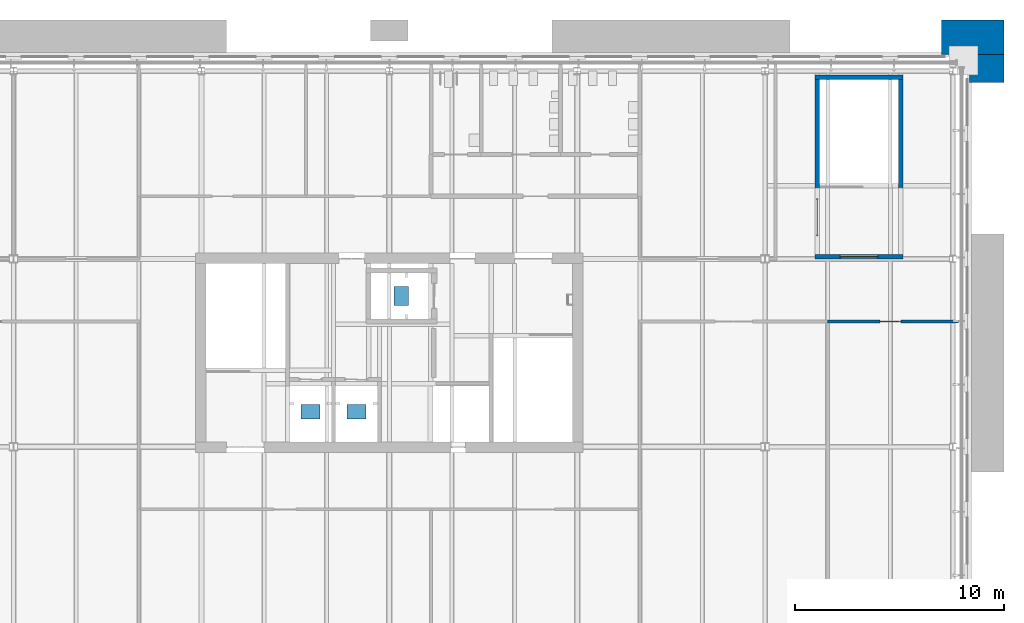
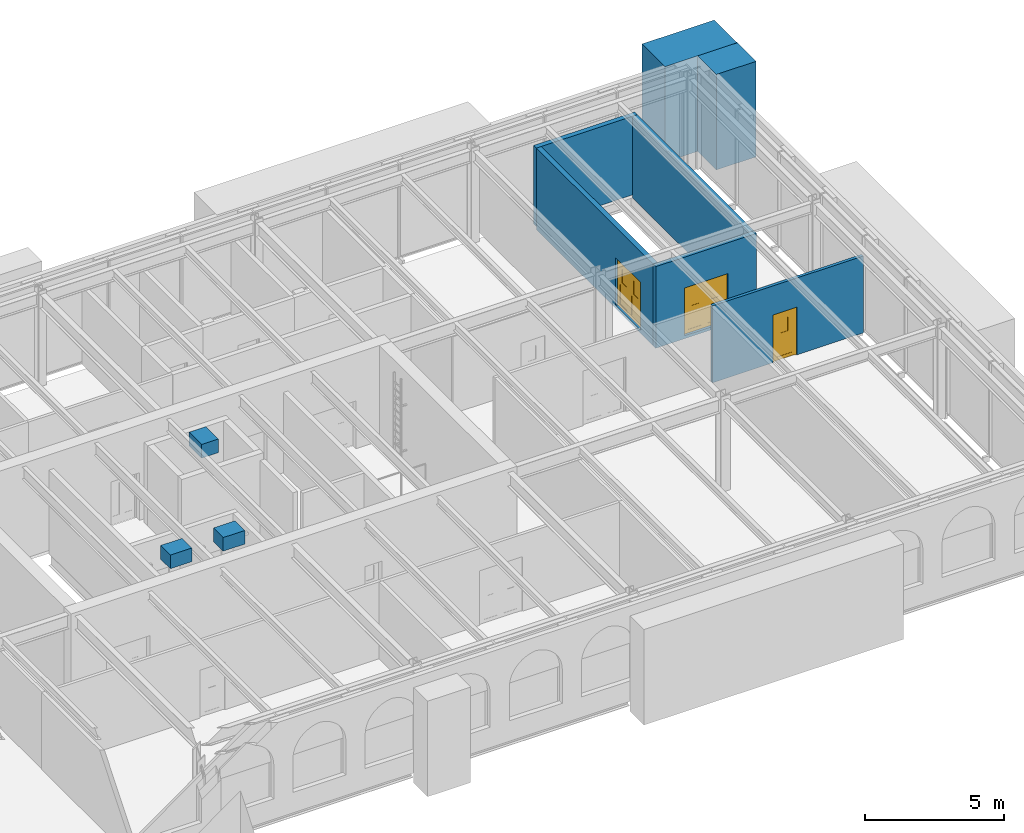
# One storey, part 15 of 24: 7 walls, 3 discrete accessories, 3 doors, 3 openings.
"""IFC4 building model written with IfcOpenShell, lengths in metres."""

from ifc_helpers import new_model, si_unit, direction, frame, frame_2d, origin, origin_2d, place, context, subcontext, project, spatial, polyline, rectangle, outline, extrude, material, layer, layer_set, type_object, element, fill, save


model = new_model("IFC4")

# Units and contexts
model_context = context("Model", 3, precision=1e-05, world=origin(), true_north=direction((0.0, 1.0)))
body_context = subcontext(model_context, "Body", "Model", "MODEL_VIEW")
ifc_project = project(units=[si_unit("LENGTHUNIT", "METRE"), si_unit("AREAUNIT", "SQUARE_METRE"), si_unit("VOLUMEUNIT", "CUBIC_METRE"), si_unit("PLANEANGLEUNIT", "RADIAN"), si_unit("MASSUNIT", "GRAM", prefix="KILO")], contexts=[model_context])

# Site, building, storey
site_placement = place(None, origin())
site = spatial("IfcSite", under=ifc_project, at=site_placement, CompositionType="ELEMENT")
building_placement = place(site_placement, origin())
building = spatial("IfcBuilding", under=site, at=building_placement, Name="Baradari Gate Terminus", CompositionType="ELEMENT")
storey_placement = place(building_placement, frame((0.0, 0.0, 32.699951171875)))
storey = spatial("IfcBuildingStorey", under=building, at=storey_placement, Name="L07", CompositionType="ELEMENT", Elevation=32.699951171875)

# Wall, opening, door
ifc_material_1 = material(Name="Gypsum board")
ifc_layer_1 = layer(ifc_material_1, 0.125)
ifc_layer_set_1 = layer_set([ifc_layer_1], Name="Gypsum board")
wall_type_1 = type_object("IfcWallType", Name="Corridor partition PT-5 125 EI 30", PredefinedType="PARTITIONING", material=ifc_layer_set_1)
wall_1_placement = place(storey_placement, frame((63.27001953125, 132.0, 0.0), z_axis=(0.0, 0.0, 1.0), x_axis=(-1.0, 0.0, 0.0)))
wall_1 = element("IfcWall", 1, at=wall_1_placement, inside=storey, type_object=wall_type_1, Name="PT-5 partition Corridor / Canteen Kitchen", PredefinedType="PARTITIONING", context=body_context, shape_type="SweptSolid", body=[
    extrude(rectangle(XDim=6.27001953125, YDim=0.125, at=frame_2d((3.135009765625, 0.0))), origin(), (0.0, 0.0, 1.0), 3.382080078125),
])
opening_1_placement = place(wall_1_placement, frame((2.77001953125, 0.0, 0.0)))
opening_1 = element("IfcOpeningElement", 2, at=opening_1_placement, cuts=wall_1, Name="Opening D07-019", PredefinedType="OPENING", context=body_context, shape_type="SweptSolid", body=[
    extrude(rectangle(XDim=1.0, YDim=2.10009765625, at=frame_2d((0.5, 1.050048828125))), frame((0.0, 0.072509765625, 0.0), z_axis=(0.0, -1.0, 0.0), x_axis=(1.0, 0.0, 0.0)), (0.0, 0.0, 1.0), 0.14501953125),
])
ifc_material_2 = material(Name="Steel S275", Category="steel")
door_type_1 = type_object("IfcDoorType", Name="Fire door FI-1000-FD30S 1000x2100 FD30S", OperationType="SINGLE_SWING_LEFT", PredefinedType="DOOR", material=ifc_material_2)
door_1_placement = place(opening_1_placement, origin())
door_1 = element("IfcDoor", 3, at=door_1_placement, inside=storey, type_object=door_type_1, Name="Door Canteen Kitchen", OperationType="SINGLE_SWING_RIGHT", OverallHeight=2.1, OverallWidth=1.0, PredefinedType="DOOR", context=body_context, shape_type="SweptSolid", body=[
    extrude(outline(polyline([(0.0, 0.0), (0.070068359375, 0.0), (0.070068359375, 2.030029296875), (0.929931640625, 2.030029296875), (0.929931640625, 0.0), (1.0, 0.0), (1.0, 2.10009765625), (0.0, 2.10009765625), (0.0, 0.0)])), frame((0.0, 0.02490234375, 0.0), z_axis=(0.0, -1.0, 0.0), x_axis=(1.0, 0.0, 0.0)), (0.0, 0.0, 1.0), 0.050048828125),
    extrude(outline(polyline([(0.073974609375, 0.010009765625), (0.926025390625, 0.010009765625), (0.926025390625, 2.026123046875), (0.073974609375, 2.026123046875), (0.073974609375, 0.010009765625)]), holes=[polyline([(0.194091796875, 0.159912109375), (0.805908203125, 0.159912109375), (0.805908203125, 1.010009765625), (0.194091796875, 1.010009765625), (0.194091796875, 0.159912109375)]), polyline([(0.35009765625, 1.159912109375), (0.64990234375, 1.159912109375), (0.64990234375, 1.760009765625), (0.35009765625, 1.760009765625), (0.35009765625, 1.159912109375)])]), frame((0.0, 0.017333984375, 0.0), z_axis=(0.0, -1.0, 0.0), x_axis=(1.0, 0.0, 0.0)), (0.0, 0.0, 1.0), 0.034912109375),
    extrude(rectangle(XDim=0.61181640625, YDim=0.85009765625, at=frame_2d((0.5, 0.5849609375))), frame((0.0, 0.008544921875, 0.0), z_axis=(0.0, -1.0, 0.0), x_axis=(1.0, 0.0, 0.0)), (0.0, 0.0, 1.0), 0.017333984375),
    extrude(rectangle(XDim=0.2998046875, YDim=0.60009765625, at=frame_2d((0.5, 1.4599609375))), frame((0.0, 0.005859375, 0.0), z_axis=(0.0, -1.0, 0.0), x_axis=(1.0, 0.0, 0.0)), (0.0, 0.0, 1.0), 0.011962890625),
])
fill(opening_1, door_1)

# Walls
ifc_material_3 = material(Name="Concrete C40/50 precast", Category="concrete")
ifc_layer_2 = layer(ifc_material_3, 1.55)
ifc_material_4 = material(Name="Sandstone cladding", Category="masonry")
ifc_layer_3 = layer(ifc_material_4, 0.1)
ifc_layer_set_2 = layer_set([ifc_layer_2, ifc_layer_3], Name="Concrete C40/50 precast")
wall_type_2 = type_object("IfcWallType", Name="Sandstone-faced precast frame pier WQ-4 1650", PredefinedType="SOLIDWALL", material=ifc_layer_set_2)
wall_2_placement = place(storey_placement, frame((62.445068359375, 145.6201171875, 0.0), z_axis=(0.0, 0.0, 1.0), x_axis=(1.0, 0.0, 0.0)))
element("IfcWall", 4, at=wall_2_placement, inside=storey, type_object=wall_type_2, Name="Corner pilaster NE leg A L07", PredefinedType="SOLIDWALL", context=body_context, shape_type="SweptSolid", body=[
    extrude(rectangle(XDim=3.0, YDim=1.64990234375, at=frame_2d((1.5, 0.0))), origin(), (0.0, 0.0, 1.0), 4.199951171875),
])
wall_3_placement = place(storey_placement, frame((64.6201171875, 143.445068359375, 0.0), z_axis=(0.0, 0.0, 1.0), x_axis=(0.0, 1.0, 0.0)))
element("IfcWall", 5, at=wall_3_placement, inside=storey, type_object=wall_type_2, Name="Corner pilaster NE leg B L07", PredefinedType="SOLIDWALL", context=body_context, shape_type="SweptSolid", body=[
    extrude(rectangle(XDim=1.349853515625, YDim=1.64990234375, at=frame_2d((0.6748046875, 0.0))), origin(), (0.0, 0.0, 1.0), 4.199951171875),
])

# Wall, opening, door
ifc_material_5 = material(Name="Concrete C40/50", Category="concrete")
ifc_layer_4 = layer(ifc_material_5, 0.199951171875)
ifc_layer_set_3 = layer_set([ifc_layer_4], Name="Concrete C40/50")
wall_type_3 = type_object("IfcWallType", Name="Stair enclosure wall SE-2 200 EI 120", PredefinedType="SOLIDWALL", material=ifc_layer_set_3)
wall_4_placement = place(storey_placement, frame((56.39990234375, 135.10009765625, -0.1298828125), z_axis=(0.0, 0.0, 1.0), x_axis=(1.0, 0.0, 0.0)))
wall_4 = element("IfcWall", 6, at=wall_4_placement, inside=storey, type_object=wall_type_3, Name="Stair enclosure wall SE-2 ST-T3 L07 S", PredefinedType="SOLIDWALL", context=body_context, shape_type="SweptSolid", body=[
    extrude(rectangle(XDim=4.2001953125, YDim=0.199951171875, at=frame_2d((2.10009765625, 0.0))), origin(), (0.0, 0.0, 1.0), 3.5869140625),
])
opening_2_placement = place(wall_4_placement, frame((1.199951171875, 0.0, 0.1298828125)))
opening_2 = element("IfcOpeningElement", 7, at=opening_2_placement, cuts=wall_4, Name="Opening D07-010", PredefinedType="OPENING", context=body_context, shape_type="SweptSolid", body=[
    extrude(rectangle(XDim=1.800048828125, YDim=2.10009765625, at=frame_2d((0.89990234375, 1.050048828125))), frame((0.0, 0.10986328125, 0.0), z_axis=(0.0, -1.0, 0.0), x_axis=(1.0, 0.0, 0.0)), (0.0, 0.0, 1.0), 0.219970703125),
])
ifc_material_6 = material(Name="Steel S275", Category="steel")
door_type_2 = type_object("IfcDoorType", Name="Fire door FI-1800-FD90S 1800x2100 FD90S", OperationType="DOUBLE_DOOR_SINGLE_SWING", PredefinedType="DOOR", material=ifc_material_6)
door_2_placement = place(opening_2_placement, origin())
door_2 = element("IfcDoor", 8, at=door_2_placement, inside=storey, type_object=door_type_2, Name="Door Stair (East Core)", OperationType="DOUBLE_DOOR_SINGLE_SWING", OverallHeight=2.1, OverallWidth=1.8, PredefinedType="DOOR", context=body_context, shape_type="SweptSolid", body=[
    extrude(outline(polyline([(0.0, 0.0), (0.070068359375, 0.0), (0.070068359375, 2.030029296875), (1.72998046875, 2.030029296875), (1.72998046875, 0.0), (1.800048828125, 0.0), (1.800048828125, 2.10009765625), (0.0, 2.10009765625), (0.0, 0.0)])), frame((0.0, 0.02490234375, 0.0), z_axis=(0.0, -1.0, 0.0), x_axis=(1.0, 0.0, 0.0)), (0.0, 0.0, 1.0), 0.050048828125),
    extrude(outline(polyline([(0.073974609375, 0.010009765625), (0.89697265625, 0.010009765625), (0.89697265625, 2.026123046875), (0.073974609375, 2.026123046875), (0.073974609375, 0.010009765625)]), holes=[polyline([(0.194091796875, 0.159912109375), (0.77685546875, 0.159912109375), (0.77685546875, 1.010009765625), (0.194091796875, 1.010009765625), (0.194091796875, 0.159912109375)]), polyline([(0.33544921875, 1.159912109375), (0.635498046875, 1.159912109375), (0.635498046875, 1.760009765625), (0.33544921875, 1.760009765625), (0.33544921875, 1.159912109375)])]), frame((0.0, 0.017333984375, 0.0), z_axis=(0.0, -1.0, 0.0), x_axis=(1.0, 0.0, 0.0)), (0.0, 0.0, 1.0), 0.034912109375),
    extrude(rectangle(XDim=0.582763671875, YDim=0.85009765625, at=frame_2d((0.4853515625, 0.5849609375))), frame((0.0, 0.008544921875, 0.0), z_axis=(0.0, -1.0, 0.0), x_axis=(1.0, 0.0, 0.0)), (0.0, 0.0, 1.0), 0.017333984375),
    extrude(rectangle(XDim=0.300048828125, YDim=0.60009765625, at=frame_2d((0.4853515625, 1.4599609375))), frame((0.0, 0.005859375, 0.0), z_axis=(0.0, -1.0, 0.0), x_axis=(1.0, 0.0, 0.0)), (0.0, 0.0, 1.0), 0.011962890625),
    extrude(outline(polyline([(0.903076171875, 0.010009765625), (1.72607421875, 0.010009765625), (1.72607421875, 2.026123046875), (0.903076171875, 2.026123046875), (0.903076171875, 0.010009765625)]), holes=[polyline([(1.023193359375, 0.159912109375), (1.60595703125, 0.159912109375), (1.60595703125, 1.010009765625), (1.023193359375, 1.010009765625), (1.023193359375, 0.159912109375)]), polyline([(1.16455078125, 1.159912109375), (1.464599609375, 1.159912109375), (1.464599609375, 1.760009765625), (1.16455078125, 1.760009765625), (1.16455078125, 1.159912109375)])]), frame((0.0, 0.017333984375, 0.0), z_axis=(0.0, -1.0, 0.0), x_axis=(1.0, 0.0, 0.0)), (0.0, 0.0, 1.0), 0.034912109375),
    extrude(rectangle(XDim=0.582763671875, YDim=0.85009765625, at=frame_2d((1.314453125, 0.5849609375))), frame((0.0, 0.008544921875, 0.0), z_axis=(0.0, -1.0, 0.0), x_axis=(1.0, 0.0, 0.0)), (0.0, 0.0, 1.0), 0.017333984375),
    extrude(rectangle(XDim=0.300048828125, YDim=0.60009765625, at=frame_2d((1.314453125, 1.4599609375))), frame((0.0, 0.005859375, 0.0), z_axis=(0.0, -1.0, 0.0), x_axis=(1.0, 0.0, 0.0)), (0.0, 0.0, 1.0), 0.011962890625),
])
fill(opening_2, door_2)

# Wall
wall_5_placement = place(storey_placement, frame((56.39990234375, 143.699951171875, 0.0), z_axis=(0.0, 0.0, 1.0), x_axis=(1.0, 0.0, 0.0)))
element("IfcWall", 9, at=wall_5_placement, inside=storey, type_object=wall_type_3, Name="Stair enclosure wall SE-2 ST-T3 L07 N", PredefinedType="SOLIDWALL", context=body_context, shape_type="SweptSolid", body=[
    extrude(rectangle(XDim=4.2001953125, YDim=0.199951171875, at=frame_2d((2.10009765625, 0.0))), origin(), (0.0, 0.0, 1.0), 3.45703125),
])

# Wall, opening, door
wall_6_placement = place(storey_placement, frame((56.5, 135.199951171875, -0.1298828125), z_axis=(0.0, 0.0, 1.0), x_axis=(0.0, 1.0, 0.0)))
wall_6 = element("IfcWall", 10, at=wall_6_placement, inside=storey, type_object=wall_type_3, Name="Stair enclosure wall SE-2 ST-T3 L07 W", PredefinedType="SOLIDWALL", context=body_context, shape_type="SweptSolid", body=[
    extrude(rectangle(XDim=8.400146484375, YDim=0.199951171875, at=frame_2d((4.2001953125, 0.0))), origin(), (0.0, 0.0, 1.0), 3.5869140625),
])
opening_3_placement = place(wall_6_placement, frame((0.89990234375, 0.0, 0.1298828125)))
opening_3 = element("IfcOpeningElement", 11, at=opening_3_placement, cuts=wall_6, Name="Opening D07-009", PredefinedType="OPENING", context=body_context, shape_type="SweptSolid", body=[
    extrude(rectangle(XDim=1.800048828125, YDim=2.10009765625, at=frame_2d((0.89990234375, 1.050048828125))), frame((0.0, 0.10986328125, 0.0), z_axis=(0.0, -1.0, 0.0), x_axis=(1.0, 0.0, 0.0)), (0.0, 0.0, 1.0), 0.219970703125),
])
door_3_placement = place(opening_3_placement, frame((1.800048828125, 0.0, 0.0), z_axis=(0.0, 0.0, 1.0), x_axis=(-1.0, 0.0, 0.0)))
door_3 = element("IfcDoor", 12, at=door_3_placement, inside=storey, type_object=door_type_2, Name="Door Stair (East Core)", OperationType="DOUBLE_DOOR_SINGLE_SWING", OverallHeight=2.1, OverallWidth=1.8, PredefinedType="DOOR", context=body_context, shape_type="SweptSolid", body=[
    extrude(outline(polyline([(0.0, 0.0), (0.070068359375, 0.0), (0.070068359375, 2.030029296875), (1.72998046875, 2.030029296875), (1.72998046875, 0.0), (1.800048828125, 0.0), (1.800048828125, 2.10009765625), (0.0, 2.10009765625), (0.0, 0.0)])), frame((0.0, 0.02490234375, 0.0), z_axis=(0.0, -1.0, 0.0), x_axis=(1.0, 0.0, 0.0)), (0.0, 0.0, 1.0), 0.050048828125),
    extrude(outline(polyline([(0.073974609375, 0.010009765625), (0.89697265625, 0.010009765625), (0.89697265625, 2.026123046875), (0.073974609375, 2.026123046875), (0.073974609375, 0.010009765625)]), holes=[polyline([(0.194091796875, 0.159912109375), (0.77685546875, 0.159912109375), (0.77685546875, 1.010009765625), (0.194091796875, 1.010009765625), (0.194091796875, 0.159912109375)]), polyline([(0.33544921875, 1.159912109375), (0.635498046875, 1.159912109375), (0.635498046875, 1.760009765625), (0.33544921875, 1.760009765625), (0.33544921875, 1.159912109375)])]), frame((0.0, 0.017333984375, 0.0), z_axis=(0.0, -1.0, 0.0), x_axis=(1.0, 0.0, 0.0)), (0.0, 0.0, 1.0), 0.034912109375),
    extrude(rectangle(XDim=0.582763671875, YDim=0.85009765625, at=frame_2d((0.4853515625, 0.5849609375))), frame((0.0, 0.008544921875, 0.0), z_axis=(0.0, -1.0, 0.0), x_axis=(1.0, 0.0, 0.0)), (0.0, 0.0, 1.0), 0.017333984375),
    extrude(rectangle(XDim=0.300048828125, YDim=0.60009765625, at=frame_2d((0.4853515625, 1.4599609375))), frame((0.0, 0.005859375, 0.0), z_axis=(0.0, -1.0, 0.0), x_axis=(1.0, 0.0, 0.0)), (0.0, 0.0, 1.0), 0.011962890625),
    extrude(outline(polyline([(0.903076171875, 0.010009765625), (1.72607421875, 0.010009765625), (1.72607421875, 2.026123046875), (0.903076171875, 2.026123046875), (0.903076171875, 0.010009765625)]), holes=[polyline([(1.023193359375, 0.159912109375), (1.60595703125, 0.159912109375), (1.60595703125, 1.010009765625), (1.023193359375, 1.010009765625), (1.023193359375, 0.159912109375)]), polyline([(1.16455078125, 1.159912109375), (1.464599609375, 1.159912109375), (1.464599609375, 1.760009765625), (1.16455078125, 1.760009765625), (1.16455078125, 1.159912109375)])]), frame((0.0, 0.017333984375, 0.0), z_axis=(0.0, -1.0, 0.0), x_axis=(1.0, 0.0, 0.0)), (0.0, 0.0, 1.0), 0.034912109375),
    extrude(rectangle(XDim=0.582763671875, YDim=0.85009765625, at=frame_2d((1.314453125, 0.5849609375))), frame((0.0, 0.008544921875, 0.0), z_axis=(0.0, -1.0, 0.0), x_axis=(1.0, 0.0, 0.0)), (0.0, 0.0, 1.0), 0.017333984375),
    extrude(rectangle(XDim=0.300048828125, YDim=0.60009765625, at=frame_2d((1.314453125, 1.4599609375))), frame((0.0, 0.005859375, 0.0), z_axis=(0.0, -1.0, 0.0), x_axis=(1.0, 0.0, 0.0)), (0.0, 0.0, 1.0), 0.011962890625),
])
fill(opening_3, door_3)

# Wall
wall_7_placement = place(storey_placement, frame((60.5, 135.199951171875, -0.1298828125), z_axis=(0.0, 0.0, 1.0), x_axis=(0.0, 1.0, 0.0)))
element("IfcWall", 13, at=wall_7_placement, inside=storey, type_object=wall_type_3, Name="Stair enclosure wall SE-2 ST-T3 L07 E", PredefinedType="SOLIDWALL", context=body_context, shape_type="SweptSolid", body=[
    extrude(rectangle(XDim=8.400146484375, YDim=0.199951171875, at=frame_2d((4.2001953125, 0.0))), origin(), (0.0, 0.0, 1.0), 3.5869140625),
])

# Discrete accessories
ifc_material_7 = material(Name="Steel S355", Category="steel")
discrete_accessory_type = type_object("IfcDiscreteAccessoryType", Name="Lift machine LM-1 900x700x600", PredefinedType="SHOE", material=ifc_material_7)
for number, where, z_axis, x_axis, name in (
    (14, (32.22509765625, 127.675048828125, 3.449951171875), (0.0, 0.0, 1.0), (1.0, 0.0, 0.0), "Lift machine LT1"),
    (15, (34.425048828125, 127.675048828125, 3.449951171875), (0.0, 0.0, 1.0), (1.0, 0.0, 0.0), "Lift machine LT2"),
):
    element("IfcDiscreteAccessory", number, at=place(storey_placement, frame(where, z_axis=z_axis, x_axis=x_axis)), inside=storey, type_object=discrete_accessory_type, Name=name, PredefinedType="SHOE", context=body_context, shape_type="SweptSolid", body=[
        extrude(rectangle(XDim=0.89990234375, YDim=0.699951171875, at=origin_2d()), origin(), (0.0, 0.0, 1.0), 0.60009765625),
    ])
discrete_accessory_placement = place(storey_placement, frame((36.574951171875, 133.22509765625, 3.449951171875), z_axis=(0.0, 0.0, 1.0), x_axis=(1.0, 0.0, 0.0)))
element("IfcDiscreteAccessory", 16, at=discrete_accessory_placement, inside=storey, type_object=discrete_accessory_type, Name="Lift machine LT3", PredefinedType="SHOE", context=body_context, shape_type="SweptSolid", body=[
    extrude(rectangle(XDim=0.699951171875, YDim=0.89990234375, at=origin_2d()), origin(), (0.0, 0.0, 1.0), 0.60009765625),
])

save(model, "model.ifc")
